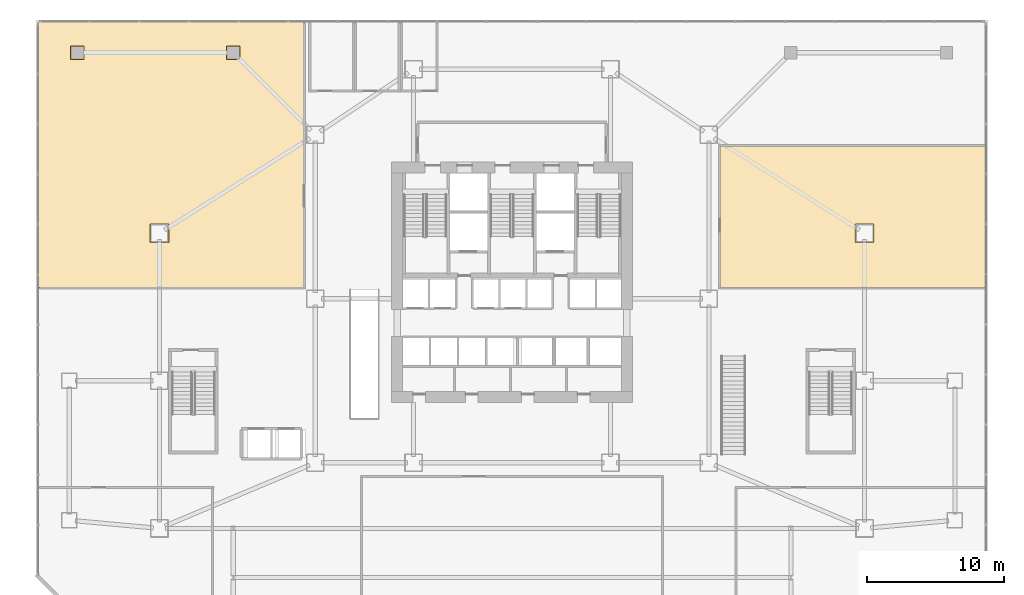
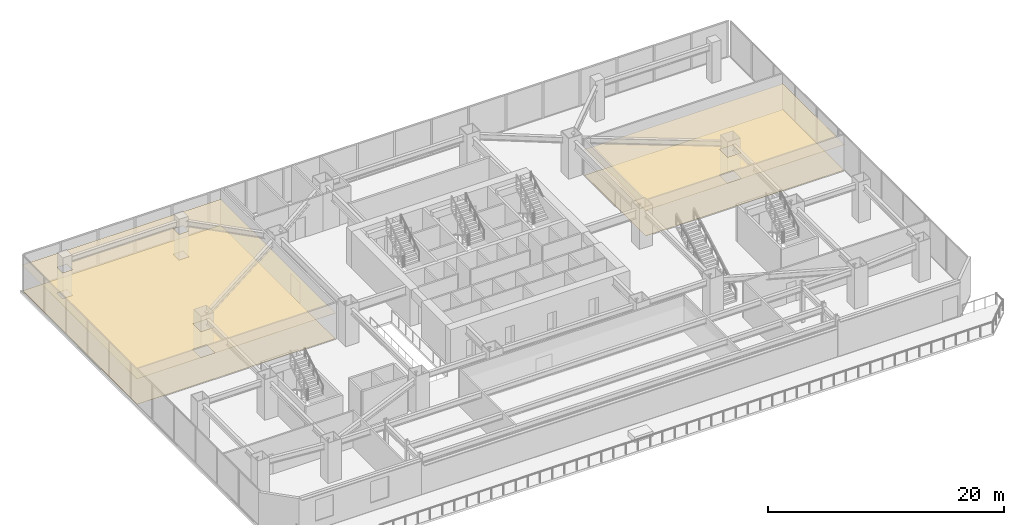
# One storey, part 30 of 32: 4 coverings.
"""IFC4 building model written with IfcOpenShell, lengths in metres."""

from ifc_helpers import new_model, si_unit, direction, frame, origin, place, context, subcontext, project, spatial, polyline, outline, extrude, material, layer, layer_set, type_object, element, save


model = new_model("IFC4")

# Units and contexts
model_context = context("Model", 3, precision=1e-05, world=origin(), true_north=direction((0.0, 1.0)))
body_context = subcontext(model_context, "Body", "Model", "MODEL_VIEW")
ifc_project = project(units=[si_unit("LENGTHUNIT", "METRE"), si_unit("AREAUNIT", "SQUARE_METRE"), si_unit("VOLUMEUNIT", "CUBIC_METRE"), si_unit("PLANEANGLEUNIT", "RADIAN"), si_unit("MASSUNIT", "GRAM", prefix="KILO")], contexts=[model_context])

# Site, building, storey
site_placement = place(None, origin())
site = spatial("IfcSite", under=ifc_project, at=site_placement, CompositionType="ELEMENT")
building_placement = place(site_placement, origin())
building = spatial("IfcBuilding", under=site, at=building_placement, Name="Haolan Belvedere Tower", CompositionType="ELEMENT")
storey_placement = place(building_placement, frame((0.0, 0.0, 15.60009765625)))
storey = spatial("IfcBuildingStorey", under=building, at=storey_placement, Name="L03", CompositionType="ELEMENT", Elevation=15.60009765625)

# Coverings
ifc_material_1 = material(Name="Acoustic mineral-fibre suspended ceiling system", Category="masonry")
ifc_layer_1 = layer(ifc_material_1, 0.02490234375, Name="Acoustic mineral-fibre suspended ceiling system")
ifc_layer_set_1 = layer_set([ifc_layer_1], Name="Acoustic mineral-fibre suspended ceiling system")
covering_type_1 = type_object("IfcCoveringType", Name="COV-CEIL-AC25", PredefinedType="CEILING", material=ifc_layer_set_1)
covering_1_placement = place(storey_placement, frame((0.0, 0.0, 2.64990234375)))
element("IfcCovering", 1, at=covering_1_placement, inside=storey, type_object=covering_type_1, Name="L03 suspended acoustic ceiling L03-AUD.2", PredefinedType="CEILING", context=body_context, shape_type="SweptSolid", body=[
    extrude(outline(polyline([(23.2119140625, 34.387939453125), (23.2119140625, 53.862060546875), (3.738037109375, 53.862060546875), (3.738037109375, 34.387939453125), (23.2119140625, 34.387939453125)]), holes=[polyline([(17.534912109375, 51.135009765625), (17.534912109375, 52.06494140625), (18.465087890625, 52.06494140625), (18.465087890625, 51.135009765625), (17.534912109375, 51.135009765625)]), polyline([(11.93505859375, 37.735107421875), (11.93505859375, 39.06494140625), (13.264892578125, 39.06494140625), (13.264892578125, 37.735107421875), (11.93505859375, 37.735107421875)]), polyline([(6.135009765625, 51.135009765625), (6.135009765625, 52.06494140625), (7.06494140625, 52.06494140625), (7.06494140625, 51.135009765625), (6.135009765625, 51.135009765625)])]), origin(), (0.0, 0.0, 1.0), 0.02490234375),
])
covering_2_placement = place(storey_placement, frame((0.0, 0.0, 2.64990234375)))
element("IfcCovering", 2, at=covering_2_placement, inside=storey, type_object=covering_type_1, Name="L03 suspended acoustic ceiling L03-BRD1.3", PredefinedType="CEILING", context=body_context, shape_type="SweptSolid", body=[
    extrude(outline(polyline([(73.06201171875, 34.387939453125), (73.06201171875, 44.81201171875), (53.587890625, 44.81201171875), (53.587890625, 34.387939453125), (73.06201171875, 34.387939453125)]), holes=[polyline([(63.534912109375, 37.735107421875), (63.534912109375, 39.06494140625), (64.864990234375, 39.06494140625), (64.864990234375, 37.735107421875), (63.534912109375, 37.735107421875)])]), origin(), (0.0, 0.0, 1.0), 0.02490234375),
])
ifc_material_2 = material(Name="Honed terrazzo and natural granite stone flooring", Category="masonry")
ifc_layer_2 = layer(ifc_material_2, 0.014892578125, Name="Honed terrazzo and natural granite stone flooring")
ifc_layer_set_2 = layer_set([ifc_layer_2], Name="Honed terrazzo and natural granite stone flooring")
covering_type_2 = type_object("IfcCoveringType", Name="COV-FLR-STN30", PredefinedType="FLOORING", material=ifc_layer_set_2)
covering_3_placement = place(storey_placement, origin())
element("IfcCovering", 3, at=covering_3_placement, inside=storey, type_object=covering_type_2, Name="L03 polished stone floor finish L03-AUD.2", PredefinedType="FLOORING", context=body_context, shape_type="SweptSolid", body=[
    extrude(outline(polyline([(23.18701171875, 53.8369140625), (3.762939453125, 53.8369140625), (3.762939453125, 34.4130859375), (23.18701171875, 34.4130859375), (23.18701171875, 53.8369140625)]), holes=[polyline([(17.510009765625, 52.090087890625), (18.489990234375, 52.090087890625), (18.489990234375, 51.110107421875), (17.510009765625, 51.110107421875), (17.510009765625, 52.090087890625)]), polyline([(11.909912109375, 39.090087890625), (13.2900390625, 39.090087890625), (13.2900390625, 37.7099609375), (11.909912109375, 37.7099609375), (11.909912109375, 39.090087890625)]), polyline([(6.110107421875, 52.090087890625), (7.090087890625, 52.090087890625), (7.090087890625, 51.110107421875), (6.110107421875, 51.110107421875), (6.110107421875, 52.090087890625)])]), origin(), (0.0, 0.0, 1.0), 0.014892578125),
])
covering_4_placement = place(storey_placement, origin())
element("IfcCovering", 4, at=covering_4_placement, inside=storey, type_object=covering_type_2, Name="L03 polished stone floor finish L03-BRD1.3", PredefinedType="FLOORING", context=body_context, shape_type="SweptSolid", body=[
    extrude(outline(polyline([(73.037109375, 44.787109375), (53.613037109375, 44.787109375), (53.613037109375, 34.4130859375), (73.037109375, 34.4130859375), (73.037109375, 44.787109375)]), holes=[polyline([(63.510009765625, 39.090087890625), (64.889892578125, 39.090087890625), (64.889892578125, 37.7099609375), (63.510009765625, 37.7099609375), (63.510009765625, 39.090087890625)])]), origin(), (0.0, 0.0, 1.0), 0.014892578125),
])

save(model, "model.ifc")
